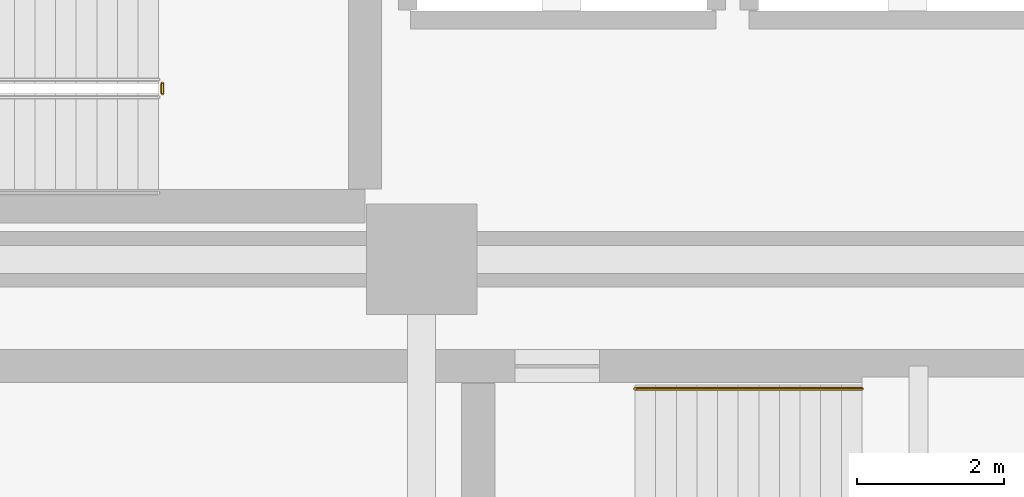
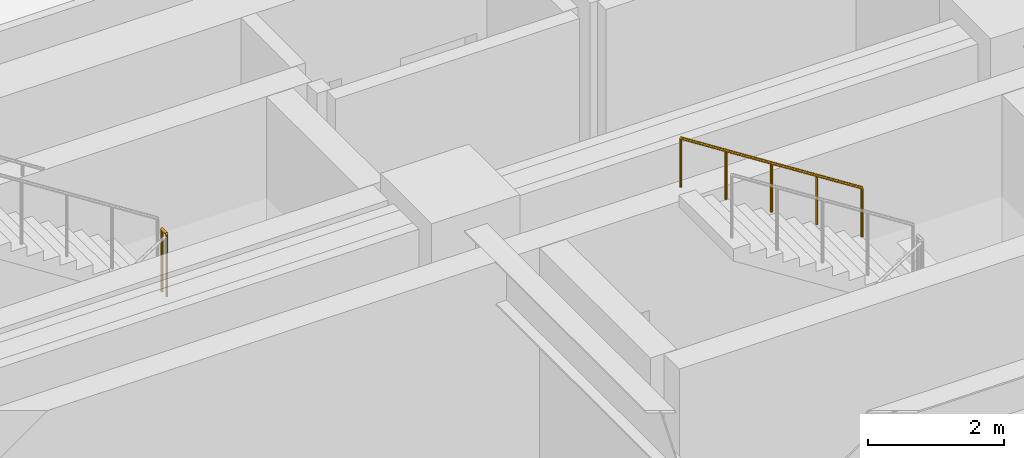
# One storey, part 22 of 30: 2 railings.
"""IFC4 building model written with IfcOpenShell, lengths in metres."""

from ifc_helpers import new_model, si_unit, direction, frame, origin, origin_2d, place, context, subcontext, project, spatial, circle, extrude, material, type_object, element, save


model = new_model("IFC4")

# Units and contexts
model_context = context("Model", 3, precision=1e-05, world=origin(), true_north=direction((0.0, 1.0)))
body_context = subcontext(model_context, "Body", "Model", "MODEL_VIEW")
ifc_project = project(units=[si_unit("LENGTHUNIT", "METRE"), si_unit("AREAUNIT", "SQUARE_METRE"), si_unit("VOLUMEUNIT", "CUBIC_METRE"), si_unit("PLANEANGLEUNIT", "RADIAN"), si_unit("MASSUNIT", "GRAM", prefix="KILO")], contexts=[model_context])

# Site, building, storey
site_placement = place(None, origin())
site = spatial("IfcSite", under=ifc_project, at=site_placement, CompositionType="ELEMENT")
building_placement = place(site_placement, origin())
building = spatial("IfcBuilding", under=site, at=building_placement, Name="Mirazonda Arch Towers", CompositionType="ELEMENT")
storey_placement = place(building_placement, frame((0.0, 0.0, 9.5)))
storey = spatial("IfcBuildingStorey", under=building, at=storey_placement, Name="L02", CompositionType="ELEMENT", Elevation=9.5)

# Railings
ifc_material = material(Name="Architectural Brushed Steel S355", Category="steel")
railing_type_1 = type_object("IfcRailingType", Name="GUARD-STAIR-1120", PredefinedType="GUARDRAIL", material=ifc_material)
railing_1_placement = place(storey_placement, frame((16.97998046875, 14.64990234375, 2.14990234375)))
element("IfcRailing", 1, at=railing_1_placement, inside=storey, type_object=railing_type_1, Name="L02 ST-T1S stair guard 2", PredefinedType="GUARDRAIL", context=body_context, shape_type="SweptSolid", body=[
    extrude(circle(Radius=0.02392578125, at=origin_2d()), frame((0.0, 0.0, 1.1259765625), z_axis=(0.0, 1.0, 0.0), x_axis=(-1.0, 0.0, 0.0)), (0.0, 0.0, 1.0), 0.14013671875),
    extrude(circle(Radius=0.02099609375, at=origin_2d()), origin(), (0.0, 0.0, 1.0), 1.101806640625),
    extrude(circle(Radius=0.02099609375, at=origin_2d()), frame((0.0, 0.14013671875, 0.0)), (0.0, 0.0, 1.0), 1.101806640625),
])
railing_type_2 = type_object("IfcRailingType", Name="HANDRAIL-915", PredefinedType="HANDRAIL", material=ifc_material)
railing_2_placement = place(storey_placement, frame((26.47998046875, 10.639892578125, 2.3291015625)))
element("IfcRailing", 2, at=railing_2_placement, inside=storey, type_object=railing_type_2, Name="L02 ST-POD1 stair handrail 2", PredefinedType="HANDRAIL", context=body_context, shape_type="SweptSolid", body=[
    extrude(circle(Radius=0.02392578125, at=origin_2d()), frame((0.0, 0.0, 0.8759765625), z_axis=(-0.842308987159, 0.0, 0.53899496301), x_axis=(0.0, -1.0, 0.0)), (0.0, 0.0, 1.0), 3.65673828125),
    extrude(circle(Radius=0.02099609375, at=origin_2d()), origin(), (0.0, 0.0, 1.0), 0.851806640625),
    extrude(circle(Radius=0.02099609375, at=origin_2d()), frame((-0.77001953125, 0.0, 0.49267578125)), (0.0, 0.0, 1.0), 0.851806640625),
    extrude(circle(Radius=0.02099609375, at=origin_2d()), frame((-1.5400390625, 0.0, 0.9853515625)), (0.0, 0.0, 1.0), 0.851806640625),
    extrude(circle(Radius=0.02099609375, at=origin_2d()), frame((-2.31005859375, 0.0, 1.478271484375)), (0.0, 0.0, 1.0), 0.851806640625),
    extrude(circle(Radius=0.02099609375, at=origin_2d()), frame((-3.080078125, 0.0, 1.970947265625)), (0.0, 0.0, 1.0), 0.851806640625),
])

save(model, "model.ifc")
